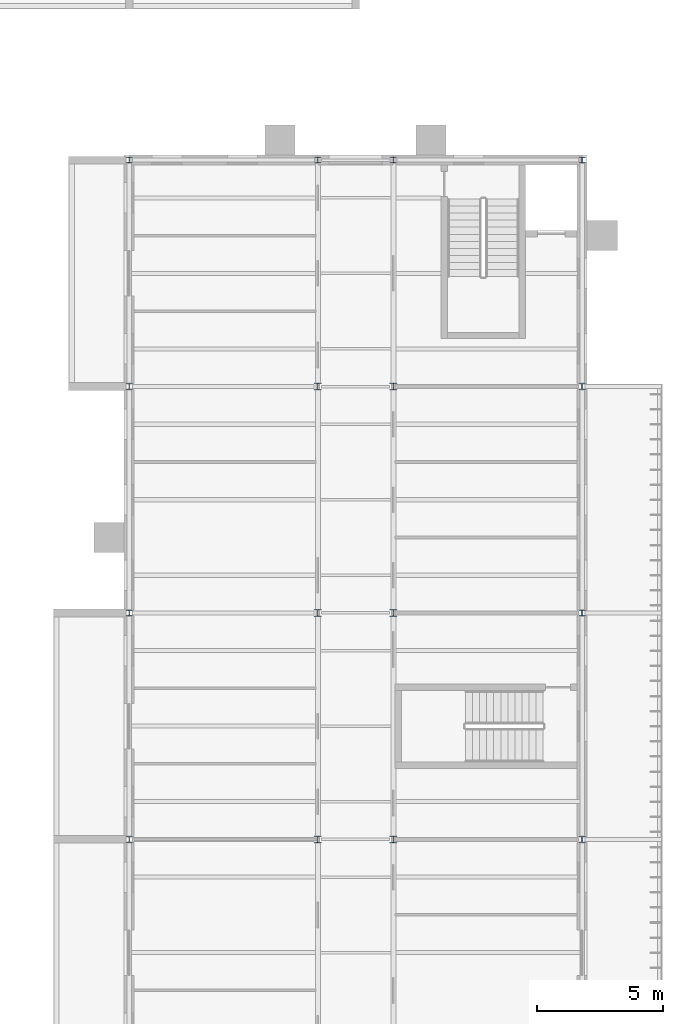
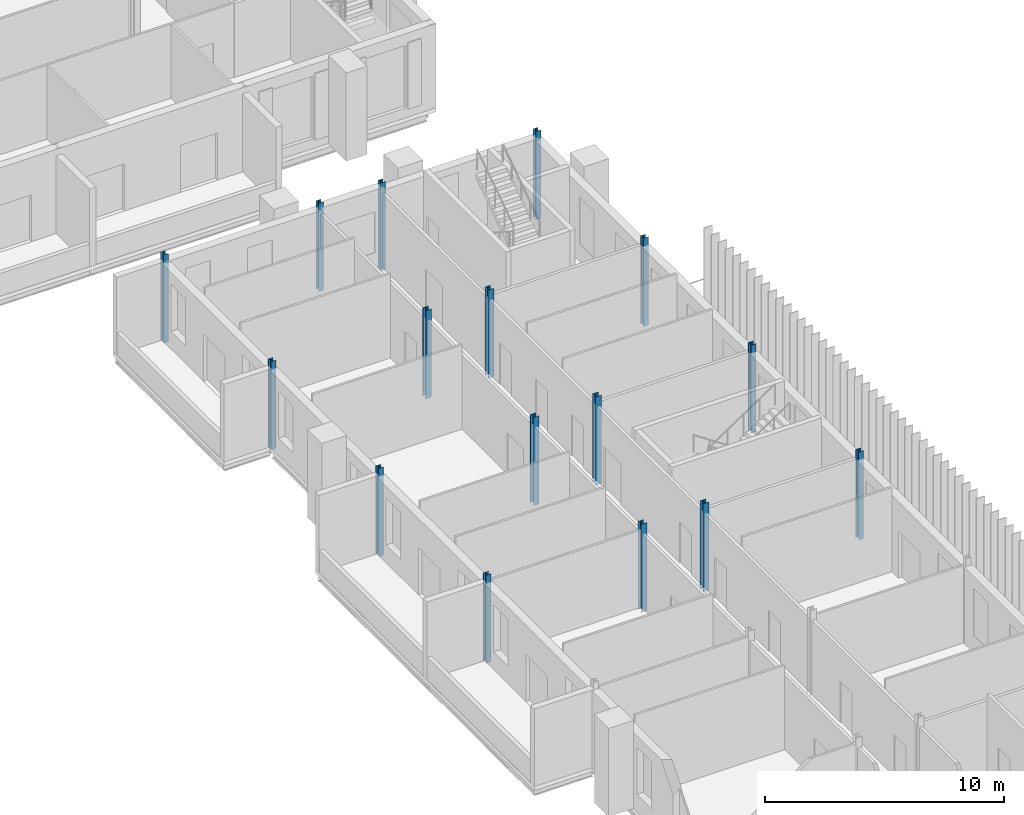
# One storey, part 17 of 134: 16 columns.
"""IFC4 building model written with IfcOpenShell, lengths in metres."""

from ifc_helpers import new_model, si_unit, direction, frame, origin, origin_2d, place, context, subcontext, project, spatial, i_section, extrude, material, material_profile, profile_set, type_object, element, save


model = new_model("IFC4")

# Units and contexts
model_context = context("Model", 3, precision=1e-05, world=origin(), true_north=direction((0.0, 1.0)))
body_context = subcontext(model_context, "Body", "Model", "MODEL_VIEW")
ifc_project = project(units=[si_unit("LENGTHUNIT", "METRE"), si_unit("AREAUNIT", "SQUARE_METRE"), si_unit("VOLUMEUNIT", "CUBIC_METRE"), si_unit("PLANEANGLEUNIT", "RADIAN"), si_unit("MASSUNIT", "GRAM", prefix="KILO")], contexts=[model_context])

# Site, building, storey
site_placement = place(None, origin())
site = spatial("IfcSite", under=ifc_project, at=site_placement, CompositionType="ELEMENT")
building_placement = place(site_placement, origin())
building = spatial("IfcBuilding", under=site, at=building_placement, Name="Golden Quay Civic Hall", CompositionType="ELEMENT")
storey_placement = place(building_placement, frame((0.0, 0.0, 5.39990234375)))
storey = spatial("IfcBuildingStorey", under=building, at=storey_placement, Name="L01", CompositionType="ELEMENT", Elevation=5.39990234375)

# Columns
ifc_material_1 = material(Name="Steel S355", Category="steel")
ifc_material_profile_1 = material_profile(ifc_material_1, i_section(OverallWidth=0.239990234375, OverallDepth=0.22998046875, WebThickness=0.007568359375, FlangeThickness=0.011962890625, FilletRadius=0.02099609375, at=origin_2d()), Name="HEA 240")
ifc_profile_set_1 = profile_set([ifc_material_profile_1], Name="Steel S355")
column_type_1 = type_object("IfcColumnType", Name="Steel column HEA 240", PredefinedType="COLUMN", material=ifc_profile_set_1)
for number, where, z_axis, x_axis, name in (
    (1, (153.0, 27.0, -0.199951171875), (0.0, 0.0, 1.0), (1.0, 0.0, 0.0), "Column 153/27 L01"),
    (2, (153.0, 36.0, -0.199951171875), (0.0, 0.0, 1.0), (1.0, 0.0, 0.0), "Column 153/36 L01"),
    (3, (153.0, 45.0, -0.199951171875), (0.0, 0.0, 1.0), (1.0, 0.0, 0.0), "Column 153/45 L01"),
    (4, (153.0, 54.0, -0.199951171875), (0.0, 0.0, 1.0), (1.0, 0.0, 0.0), "Column 153/54 L01"),
    (5, (160.5, 54.0, -0.199951171875), (0.0, 0.0, 1.0), (1.0, 0.0, 0.0), "Column 160.5/54 L01"),
    (6, (163.5, 54.0, -0.199951171875), (0.0, 0.0, 1.0), (1.0, 0.0, 0.0), "Column 163.5/54 L01"),
    (7, (171.0, 27.0, -0.199951171875), (0.0, 0.0, 1.0), (1.0, 0.0, 0.0), "Column 171/27 L01"),
    (8, (171.0, 36.0, -0.199951171875), (0.0, 0.0, 1.0), (1.0, 0.0, 0.0), "Column 171/36 L01"),
    (9, (171.0, 45.0, -0.199951171875), (0.0, 0.0, 1.0), (1.0, 0.0, 0.0), "Column 171/45 L01"),
    (10, (171.0, 54.0, -0.199951171875), (0.0, 0.0, 1.0), (1.0, 0.0, 0.0), "Column 171/54 L01"),
):
    element("IfcColumn", number, at=place(storey_placement, frame(where, z_axis=z_axis, x_axis=x_axis)), inside=storey, type_object=column_type_1, Name=name, PredefinedType="COLUMN", context=body_context, shape_type="SweptSolid", body=[
        extrude(i_section(OverallWidth=0.239990234375, OverallDepth=0.22998046875, WebThickness=0.007568359375, FlangeThickness=0.011962890625, FilletRadius=0.02099609375, at=origin_2d()), origin(), (0.0, 0.0, 1.0), 4.5),
    ])
ifc_material_2 = material(Name="Steel S355", Category="steel")
ifc_material_profile_2 = material_profile(ifc_material_2, i_section(OverallWidth=0.280029296875, OverallDepth=0.27001953125, WebThickness=0.008056640625, FlangeThickness=0.012939453125, FilletRadius=0.02392578125, at=origin_2d()), Name="HEA 280")
ifc_profile_set_2 = profile_set([ifc_material_profile_2], Name="Steel S355")
column_type_2 = type_object("IfcColumnType", Name="Steel column HEA 280", PredefinedType="COLUMN", material=ifc_profile_set_2)
for number, where, z_axis, x_axis, name in (
    (11, (160.5, 27.0, -0.199951171875), (0.0, 0.0, 1.0), (1.0, 0.0, 0.0), "Column 160.5/27 L01"),
    (12, (160.5, 36.0, -0.199951171875), (0.0, 0.0, 1.0), (1.0, 0.0, 0.0), "Column 160.5/36 L01"),
    (13, (160.5, 45.0, -0.199951171875), (0.0, 0.0, 1.0), (1.0, 0.0, 0.0), "Column 160.5/45 L01"),
    (14, (163.5, 27.0, -0.199951171875), (0.0, 0.0, 1.0), (1.0, 0.0, 0.0), "Column 163.5/27 L01"),
    (15, (163.5, 36.0, -0.199951171875), (0.0, 0.0, 1.0), (1.0, 0.0, 0.0), "Column 163.5/36 L01"),
    (16, (163.5, 45.0, -0.199951171875), (0.0, 0.0, 1.0), (1.0, 0.0, 0.0), "Column 163.5/45 L01"),
):
    element("IfcColumn", number, at=place(storey_placement, frame(where, z_axis=z_axis, x_axis=x_axis)), inside=storey, type_object=column_type_2, Name=name, PredefinedType="COLUMN", context=body_context, shape_type="SweptSolid", body=[
        extrude(i_section(OverallWidth=0.280029296875, OverallDepth=0.27001953125, WebThickness=0.008056640625, FlangeThickness=0.012939453125, FilletRadius=0.02392578125, at=origin_2d()), origin(), (0.0, 0.0, 1.0), 4.5),
    ])

save(model, "model.ifc")
